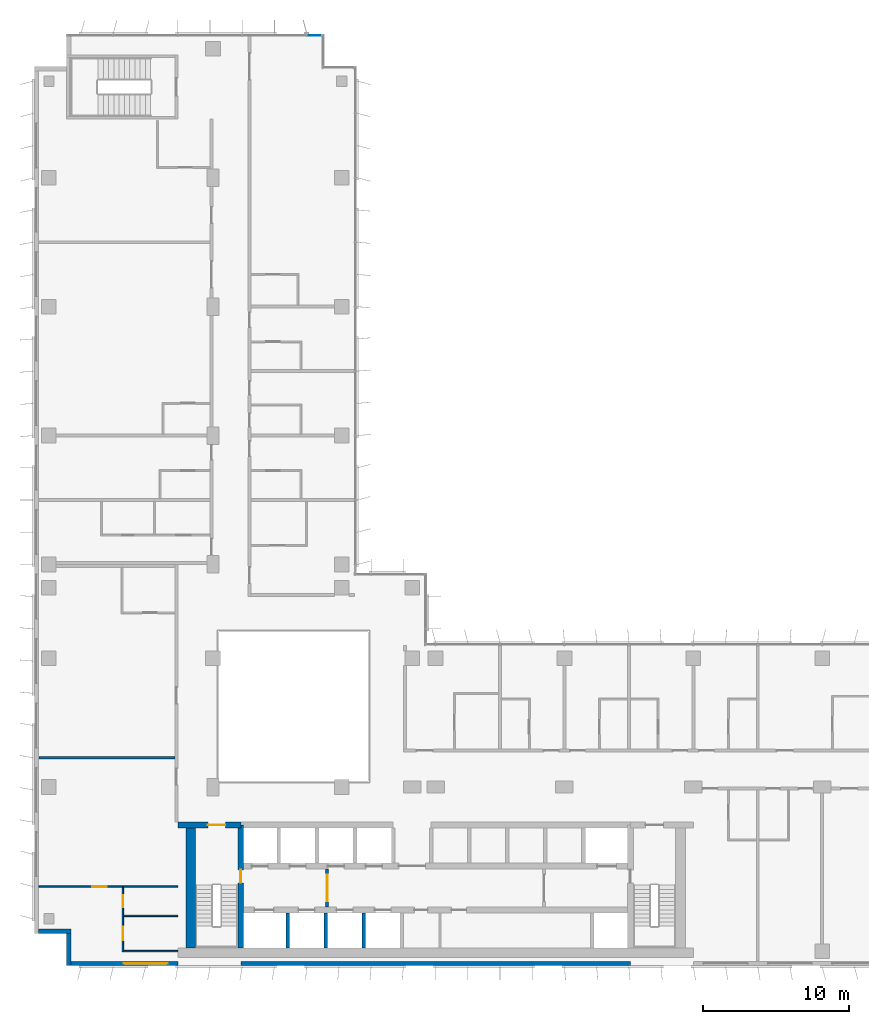
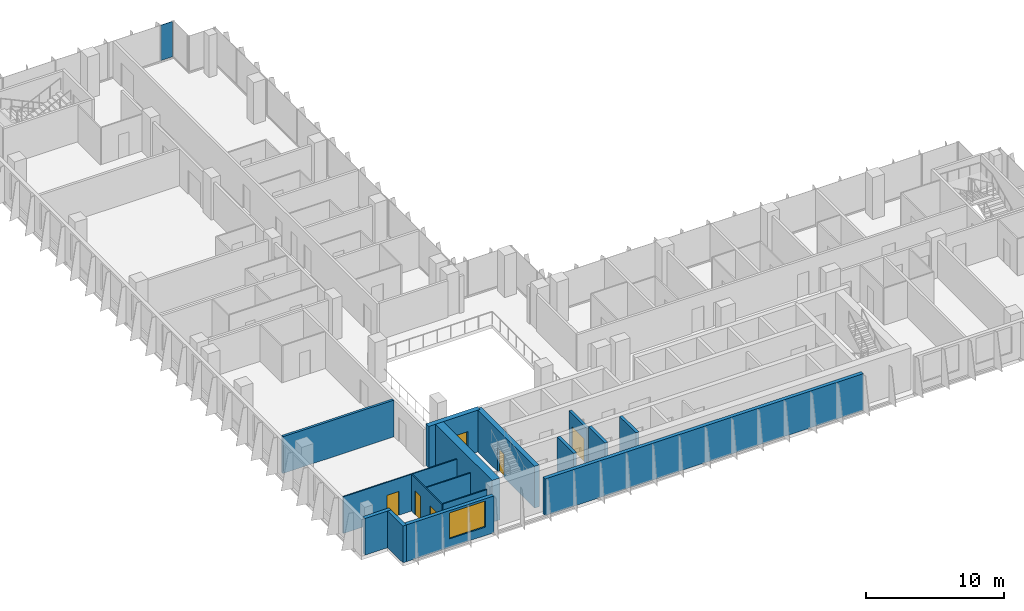
# One storey, part 12 of 21: 16 walls, 6 doors, 1 plate, 1 window, 7 openings, 1 element without a shape of its own.
"""IFC4 building model written with IfcOpenShell, lengths in metres."""

from ifc_helpers import new_model, si_unit, direction, frame, frame_2d, origin, origin_2d, place, context, subcontext, project, spatial, rectangle, extrude, source, transform, mapped, material, layer, layer_set, type_object, element, fill, aggregate, save


model = new_model("IFC4")

# Units and contexts
model_context = context("Model", 3, precision=1e-05, world=origin(), true_north=direction((0.0, 1.0)))
body_context = subcontext(model_context, "Body", "Model", "MODEL_VIEW")
ifc_project = project(units=[si_unit("LENGTHUNIT", "METRE"), si_unit("AREAUNIT", "SQUARE_METRE"), si_unit("VOLUMEUNIT", "CUBIC_METRE"), si_unit("PLANEANGLEUNIT", "RADIAN"), si_unit("MASSUNIT", "GRAM", prefix="KILO")], contexts=[model_context])

# Site, building, storey
site_placement = place(None, origin())
site = spatial("IfcSite", under=ifc_project, at=site_placement, CompositionType="ELEMENT")
building_placement = place(site_placement, origin())
building = spatial("IfcBuilding", under=site, at=building_placement, Name="Kemantara Hotel Tower", CompositionType="ELEMENT")
storey_placement = place(building_placement, frame((0.0, 0.0, 198.800048828125)))
storey = spatial("IfcBuildingStorey", under=building, at=storey_placement, Name="L49", CompositionType="ELEMENT", Elevation=198.800048828125)

# Curtain wall, plate
ifc_material_1 = material(Name="Low-E tinted double insulated glass 36 mm", Category="glass")
curtain_wall_type = type_object("IfcCurtainWallType", Name="TOWER CURTAIN WALL, FRONT FACES", PredefinedType="USERDEFINED", material=ifc_material_1)
curtain_wall_placement = place(storey_placement, origin())
curtain_wall = element("IfcCurtainWall", 1, at=curtain_wall_placement, inside=storey, type_object=curtain_wall_type, Name="CW4 L49 T3-R02-1", ObjectType="TOWER CURTAIN WALL, FRONT FACES", PredefinedType="USERDEFINED")
ifc_layer_1 = layer(ifc_material_1, 0.035888671875)
ifc_layer_set_1 = layer_set([ifc_layer_1], Name="Low-E tinted double insulated glass 36 mm")
plate_type = type_object("IfcPlateType", Name="TOWER CURTAIN WALL, FRONT FACES PANEL", PredefinedType="CURTAIN_PANEL", material=ifc_layer_set_1)
shared_shape = source(origin(), body_context, "Body", "SweptSolid", [
    extrude(rectangle(XDim=0.9599609375, YDim=0.035888671875, at=origin_2d()), origin(), (0.0, 0.0, 1.0), 3.1298828125),
])
plate_placement = place(storey_placement, frame((19.110107421875, 63.52490234375, 0.1201171875), z_axis=(0.0, 0.0, 1.0), x_axis=(-1.0, 0.0, 0.0)))
plate = element("IfcPlate", 2, at=plate_placement, type_object=plate_type, Name="CW4 glass panel T3-R02-1.1", PredefinedType="CURTAIN_PANEL", context=body_context, shape_type="MappedRepresentation", body=[
    mapped(shared_shape, transform((0.0, 0.0, 0.0))),
])
aggregate(curtain_wall, [plate])

# Walls
ifc_material_2 = material(Name="Bronze anodised aluminium cladding on insulated steel stud wall", Category="steel")
ifc_layer_2 = layer(ifc_material_2, 0.300048828125)
ifc_layer_set_2 = layer_set([ifc_layer_2], Name="Bronze anodised aluminium cladding on insulated steel stud wall")
wall_type_1 = type_object("IfcWallType", Name="BRONZE METAL-CLAD EXTERNAL WALL 300", PredefinedType="STANDARD", material=ifc_layer_set_2)
for number, where, z_axis, x_axis, name in (
    (3, (0.300048828125, 2.35009765625, 0.0), (0.0, 0.0, 1.0), (1.0, 0.0, 0.0), "EXTERNAL WALL L49 T3-R06"),
    (4, (2.35009765625, 2.199951171875, 0.0), (0.0, 0.0, 1.0), (0.0, -1.0, 0.0), "EXTERNAL WALL L49 T3-R07"),
):
    element("IfcWall", number, at=place(storey_placement, frame(where, z_axis=z_axis, x_axis=x_axis)), inside=storey, type_object=wall_type_1, Name=name, PredefinedType="STANDARD", context=body_context, shape_type="SweptSolid", body=[
        extrude(rectangle(XDim=2.199951171875, YDim=0.300048828125, at=frame_2d((1.10009765625, 0.0))), origin(), (0.0, 0.0, 1.0), 3.25),
    ])

# Wall, opening, window
wall_1_placement = place(storey_placement, frame((2.5, 0.14990234375, 0.0), z_axis=(0.0, 0.0, 1.0), x_axis=(1.0, 0.0, 0.0)))
wall_1 = element("IfcWall", 5, at=wall_1_placement, inside=storey, type_object=wall_type_1, Name="EXTERNAL WALL L49 T3-R08", PredefinedType="STANDARD", context=body_context, shape_type="SweptSolid", body=[
    extrude(rectangle(XDim=7.300048828125, YDim=0.300048828125, at=frame_2d((3.64990234375, 0.0))), origin(), (0.0, 0.0, 1.0), 3.25),
])
opening_1_placement = place(wall_1_placement, frame((3.60009765625, 0.0, 0.75)))
opening_1 = element("IfcOpeningElement", 6, at=opening_1_placement, cuts=wall_1, Name="Opening W1", PredefinedType="OPENING", context=body_context, shape_type="SweptSolid", body=[
    extrude(rectangle(XDim=3.0, YDim=2.300048828125, at=frame_2d((1.5, 1.14990234375))), frame((0.0, 0.159912109375, 0.0), z_axis=(0.0, -1.0, 0.0), x_axis=(1.0, 0.0, 0.0)), (0.0, 0.0, 1.0), 0.320068359375),
])
ifc_material_3 = material(Name="Low-E tinted double insulated glass in bronze anodised aluminium frame", Category="aluminium")
window_type = type_object("IfcWindowType", Name="CHICAGO WINDOW, TRIPLE PANEL 3000x2300", PartitioningType="TRIPLE_PANEL_VERTICAL", PredefinedType="WINDOW", material=ifc_material_3)
window_placement = place(opening_1_placement, origin())
window = element("IfcWindow", 7, at=window_placement, inside=storey, type_object=window_type, Name="CHICAGO WINDOW L49 T3-R08-54", OverallHeight=2.300048828125, OverallWidth=3.0, PartitioningType="SINGLE_PANEL", PredefinedType="WINDOW", context=body_context, shape_type="SweptSolid", body=[
    extrude(rectangle(XDim=3.0, YDim=2.300048828125, at=frame_2d((1.5, 1.14990234375))), frame((0.0, 0.030029296875, 0.0), z_axis=(0.0, -1.0, 0.0), x_axis=(1.0, 0.0, 0.0)), (0.0, 0.0, 1.0), 0.06005859375),
])
fill(opening_1, window)

# Walls
wall_2_placement = place(storey_placement, frame((14.10009765625, 0.14990234375, 0.0), z_axis=(0.0, 0.0, 1.0), x_axis=(1.0, 0.0, 0.0)))
element("IfcWall", 8, at=wall_2_placement, inside=storey, type_object=wall_type_1, Name="EXTERNAL WALL L49 T3-R08-2", PredefinedType="STANDARD", context=body_context, shape_type="SweptSolid", body=[
    extrude(rectangle(XDim=26.599853515625, YDim=0.300048828125, at=frame_2d((13.2998046875, 0.0))), origin(), (0.0, 0.0, 1.0), 3.25),
])
ifc_material_4 = material(Name="Concrete fc 60 MPa", Category="concrete")
ifc_layer_3 = layer(ifc_material_4, 0.25)
ifc_layer_set_3 = layer_set([ifc_layer_3], Name="Concrete fc 60 MPa")
wall_type_2 = type_object("IfcWallType", Name="CORE WALL 250 FC60", PredefinedType="SHEAR", material=ifc_layer_set_3)
for number, where, z_axis, x_axis, name in (
    (9, (17.300048828125, 1.199951171875, 0.0), (0.0, 0.0, 1.0), (0.0, 1.0, 0.0), "CORE WALL CW-DS17.3"),
    (10, (19.89990234375, 1.199951171875, 0.0), (0.0, 0.0, 1.0), (0.0, 1.0, 0.0), "CORE WALL CW-DS19.9"),
    (11, (22.5, 1.199951171875, 0.0), (0.0, 0.0, 1.0), (0.0, 1.0, 0.0), "CORE WALL CW-DS22.5"),
):
    element("IfcWall", number, at=place(storey_placement, frame(where, z_axis=z_axis, x_axis=x_axis)), inside=storey, type_object=wall_type_2, Name=name, PredefinedType="SHEAR", context=body_context, shape_type="SweptSolid", body=[
        extrude(rectangle(XDim=2.400146484375, YDim=0.25, at=frame_2d((1.2001953125, 0.0))), origin(), (0.0, 0.0, 1.0), 3.699951171875),
    ])

# Wall, opening, door
ifc_layer_4 = layer(ifc_material_4, 0.39990234375)
ifc_layer_set_4 = layer_set([ifc_layer_4], Name="Concrete fc 60 MPa")
wall_type_3 = type_object("IfcWallType", Name="CORE WALL 400 FC60", PredefinedType="SHEAR", material=ifc_layer_set_4)
wall_3_placement = place(storey_placement, frame((9.800048828125, 9.60009765625, 0.0), z_axis=(0.0, 0.0, 1.0), x_axis=(1.0, 0.0, 0.0)))
wall_3 = element("IfcWall", 12, at=wall_3_placement, inside=storey, type_object=wall_type_3, Name="CORE WALL CW-N1", PredefinedType="SHEAR", context=body_context, shape_type="SweptSolid", body=[
    extrude(rectangle(XDim=4.300048828125, YDim=0.39990234375, at=frame_2d((2.14990234375, 0.0))), origin(), (0.0, 0.0, 1.0), 3.699951171875),
])
opening_2_placement = place(wall_3_placement, frame((2.050048828125, 0.0, 0.0)))
opening_2 = element("IfcOpeningElement", 13, at=opening_2_placement, cuts=wall_3, Name="Opening C30-ST1-C", PredefinedType="OPENING", context=body_context, shape_type="SweptSolid", body=[
    extrude(rectangle(XDim=1.199951171875, YDim=2.10009765625, at=frame_2d((0.60009765625, 1.050048828125))), frame((0.0, 0.2099609375, 0.0), z_axis=(0.0, -1.0, 0.0), x_axis=(1.0, 0.0, 0.0)), (0.0, 0.0, 1.0), 0.419921875),
])
ifc_material_5 = material(Name="Steel fire door", Category="steel")
door_type_1 = type_object("IfcDoorType", Name="Fire door FD90 1200 x 2100", OperationType="NOTDEFINED", PredefinedType="DOOR", material=ifc_material_5)
door_1_placement = place(opening_2_placement, frame((1.199951171875, 0.0, 0.0), z_axis=(0.0, 0.0, 1.0), x_axis=(-1.0, 0.0, 0.0)))
door_1 = element("IfcDoor", 14, at=door_1_placement, inside=storey, type_object=door_type_1, Name="Stair ST1 door to corridor", OperationType="SINGLE_SWING_LEFT", OverallHeight=2.10009765625, OverallWidth=1.199951171875, PredefinedType="DOOR", context=body_context, shape_type="SweptSolid", body=[
    extrude(rectangle(XDim=1.199951171875, YDim=2.10009765625, at=frame_2d((0.60009765625, 1.050048828125))), frame((0.0, 0.02490234375, 0.0), z_axis=(0.0, -1.0, 0.0), x_axis=(1.0, 0.0, 0.0)), (0.0, 0.0, 1.0), 0.050048828125),
])
fill(opening_2, door_1)

wall_4_placement = place(storey_placement, frame((14.10009765625, 1.199951171875, 0.0), z_axis=(0.0, 0.0, 1.0), x_axis=(0.0, 1.0, 0.0)))
wall_4 = element("IfcWall", 15, at=wall_4_placement, inside=storey, type_object=wall_type_3, Name="CORE WALL CW-ST1E", PredefinedType="SHEAR", context=body_context, shape_type="SweptSolid", body=[
    extrude(rectangle(XDim=8.400146484375, YDim=0.39990234375, at=frame_2d((4.2001953125, 0.0))), origin(), (0.0, 0.0, 1.0), 3.699951171875),
])
opening_3_placement = place(wall_4_placement, frame((4.449951171875, 0.0, 0.0)))
opening_3 = element("IfcOpeningElement", 16, at=opening_3_placement, cuts=wall_4, Name="Opening C30-ST1-F", PredefinedType="OPENING", context=body_context, shape_type="SweptSolid", body=[
    extrude(rectangle(XDim=0.89990234375, YDim=2.10009765625, at=frame_2d((0.449951171875, 1.050048828125))), frame((0.0, 0.2099609375, 0.0), z_axis=(0.0, -1.0, 0.0), x_axis=(1.0, 0.0, 0.0)), (0.0, 0.0, 1.0), 0.419921875),
])
door_type_2 = type_object("IfcDoorType", Name="Fire door FD90 900 x 2100", OperationType="NOTDEFINED", PredefinedType="DOOR", material=ifc_material_5)
door_2_placement = place(opening_3_placement, origin())
door_2 = element("IfcDoor", 17, at=door_2_placement, inside=storey, type_object=door_type_2, Name="Stair ST1 door to firefighting lobby", OperationType="SINGLE_SWING_RIGHT", OverallHeight=2.10009765625, OverallWidth=0.89990234375, PredefinedType="DOOR", context=body_context, shape_type="SweptSolid", body=[
    extrude(rectangle(XDim=0.89990234375, YDim=2.10009765625, at=frame_2d((0.449951171875, 1.050048828125))), frame((0.0, 0.02490234375, 0.0), z_axis=(0.0, -1.0, 0.0), x_axis=(1.0, 0.0, 0.0)), (0.0, 0.0, 1.0), 0.050048828125),
])
fill(opening_3, door_2)

# Walls
ifc_layer_5 = layer(ifc_material_4, 0.64990234375)
ifc_layer_set_5 = layer_set([ifc_layer_5], Name="Concrete fc 60 MPa")
wall_type_4 = type_object("IfcWallType", Name="CORE WALL 650 FC60", PredefinedType="SHEAR", material=ifc_layer_set_5)
wall_5_placement = place(storey_placement, frame((10.675048828125, 1.199951171875, 0.0), z_axis=(0.0, 0.0, 1.0), x_axis=(0.0, 1.0, 0.0)))
element("IfcWall", 18, at=wall_5_placement, inside=storey, type_object=wall_type_4, Name="CORE WALL CW-W", PredefinedType="SHEAR", context=body_context, shape_type="SweptSolid", body=[
    extrude(rectangle(XDim=8.60009765625, YDim=0.64990234375, at=frame_2d((4.300048828125, 0.0))), origin(), (0.0, 0.0, 1.0), 3.699951171875),
])
ifc_material_6 = material(Name="Gypsum board partition, steel studs and mineral wool, 200 mm", Category="steel")
ifc_layer_6 = layer(ifc_material_6, 0.199951171875)
ifc_layer_set_6 = layer_set([ifc_layer_6], Name="Gypsum board partition, steel studs and mineral wool, 200 mm")
wall_type_5 = type_object("IfcWallType", Name="GUEST ROOM PARTY WALL 200", PredefinedType="PARTITIONING", material=ifc_layer_set_6)
wall_6_placement = place(storey_placement, frame((0.31005859375, 14.199951171875, 0.0), z_axis=(0.0, 0.0, 1.0), x_axis=(1.0, 0.0, 0.0)))
element("IfcWall", 19, at=wall_6_placement, inside=storey, type_object=wall_type_5, Name="GUEST ROOM PARTY WALL 200 015", PredefinedType="PARTITIONING", context=body_context, shape_type="SweptSolid", body=[
    extrude(rectangle(XDim=9.2900390625, YDim=0.199951171875, at=frame_2d((4.64501953125, 0.0))), origin(), (0.0, 0.0, 1.0), 3.25),
])

# Wall, opening, door
ifc_material_7 = material(Name="Gypsum board shaft wall")
ifc_layer_7 = layer(ifc_material_7, 0.199951171875)
ifc_layer_set_7 = layer_set([ifc_layer_7], Name="Gypsum board shaft wall")
wall_type_6 = type_object("IfcWallType", Name="Gypsum board shaft wall 200 mm", PredefinedType="PARTITIONING", material=ifc_layer_set_7)
wall_7_placement = place(storey_placement, frame((20.0, 4.0, 0.0), z_axis=(0.0, 0.0, 1.0), x_axis=(0.0, 1.0, 0.0)))
wall_7 = element("IfcWall", 20, at=wall_7_placement, inside=storey, type_object=wall_type_6, Name="Firefighting lobby partition west", PredefinedType="PARTITIONING", context=body_context, shape_type="SweptSolid", body=[
    extrude(rectangle(XDim=2.60009765625, YDim=0.199951171875, at=frame_2d((1.300048828125, 0.0))), origin(), (0.0, 0.0, 1.0), 3.25),
])
opening_4_placement = place(wall_7_placement, frame((0.39990234375, 0.0, 0.0)))
opening_4 = element("IfcOpeningElement", 21, at=opening_4_placement, cuts=wall_7, Name="Opening C30-FFW", PredefinedType="OPENING", context=body_context, shape_type="SweptSolid", body=[
    extrude(rectangle(XDim=1.800048828125, YDim=2.10009765625, at=frame_2d((0.89990234375, 1.050048828125))), frame((0.0, 0.10986328125, 0.0), z_axis=(0.0, -1.0, 0.0), x_axis=(1.0, 0.0, 0.0)), (0.0, 0.0, 1.0), 0.219970703125),
])
door_type_3 = type_object("IfcDoorType", Name="Fire door pair FD60 1800 x 2100", OperationType="DOUBLE_DOOR_SINGLE_SWING", PredefinedType="DOOR", material=ifc_material_5)
door_3_placement = place(opening_4_placement, origin())
door_3 = element("IfcDoor", 22, at=door_3_placement, inside=storey, type_object=door_type_3, Name="Firefighting lobby door west", OperationType="DOUBLE_DOOR_SINGLE_SWING", OverallHeight=2.10009765625, OverallWidth=1.800048828125, PredefinedType="DOOR", context=body_context, shape_type="SweptSolid", body=[
    extrude(rectangle(XDim=1.800048828125, YDim=2.10009765625, at=frame_2d((0.89990234375, 1.050048828125))), frame((0.0, 0.02490234375, 0.0), z_axis=(0.0, -1.0, 0.0), x_axis=(1.0, 0.0, 0.0)), (0.0, 0.0, 1.0), 0.050048828125),
])
fill(opening_4, door_3)

# Wall, openings, doors
ifc_material_8 = material(Name="Gypsum board partition on steel studs, 100 mm", Category="steel")
ifc_layer_8 = layer(ifc_material_8, 0.10009765625)
ifc_layer_set_8 = layer_set([ifc_layer_8], Name="Gypsum board partition on steel studs, 100 mm")
wall_type_7 = type_object("IfcWallType", Name="ROOM PARTITION 100", PredefinedType="PARTITIONING", material=ifc_layer_set_8)
wall_8_placement = place(storey_placement, frame((6.050048828125, 5.35009765625, 0.0), z_axis=(0.0, 0.0, 1.0), x_axis=(0.0, -1.0, 0.0)))
wall_8 = element("IfcWall", 23, at=wall_8_placement, inside=storey, type_object=wall_type_7, Name="ROOM PARTITION 100 051", PredefinedType="PARTITIONING", context=body_context, shape_type="SweptSolid", body=[
    extrude(rectangle(XDim=4.400146484375, YDim=0.10009765625, at=frame_2d((2.2001953125, 0.0))), origin(), (0.0, 0.0, 1.0), 3.25),
])
opening_5_placement = place(wall_8_placement, frame((2.699951171875, 0.0, 0.0)))
opening_5 = element("IfcOpeningElement", 24, at=opening_5_placement, cuts=wall_8, Name="Opening F23-021", PredefinedType="OPENING", context=body_context, shape_type="SweptSolid", body=[
    extrude(rectangle(XDim=0.89990234375, YDim=2.10009765625, at=frame_2d((0.449951171875, 1.050048828125))), frame((0.0, 0.06005859375, 0.0), z_axis=(0.0, -1.0, 0.0), x_axis=(1.0, 0.0, 0.0)), (0.0, 0.0, 1.0), 0.1201171875),
])
opening_6_placement = place(wall_8_placement, frame((0.550048828125, 0.0, 0.0)))
opening_6 = element("IfcOpeningElement", 25, at=opening_6_placement, cuts=wall_8, Name="Opening F23-022", PredefinedType="OPENING", context=body_context, shape_type="SweptSolid", body=[
    extrude(rectangle(XDim=0.800048828125, YDim=2.10009765625, at=frame_2d((0.39990234375, 1.050048828125))), frame((0.0, 0.06005859375, 0.0), z_axis=(0.0, -1.0, 0.0), x_axis=(1.0, 0.0, 0.0)), (0.0, 0.0, 1.0), 0.1201171875),
])
ifc_material_9 = material(Name="Hardwood veneer door leaf with steel frame", Category="steel")
door_type_4 = type_object("IfcDoorType", Name="BATHROOM DOOR 900 X 2100", OperationType="NOTDEFINED", PredefinedType="DOOR", material=ifc_material_9)
door_4_placement = place(opening_5_placement, origin())
door_4 = element("IfcDoor", 26, at=door_4_placement, inside=storey, type_object=door_type_4, Name="BATHROOM DOOR F23-021", OperationType="SINGLE_SWING_LEFT", OverallHeight=2.10009765625, OverallWidth=0.89990234375, PredefinedType="DOOR", context=body_context, shape_type="SweptSolid", body=[
    extrude(rectangle(XDim=0.89990234375, YDim=2.10009765625, at=frame_2d((0.449951171875, 1.050048828125))), frame((0.0, 0.02490234375, 0.0), z_axis=(0.0, -1.0, 0.0), x_axis=(1.0, 0.0, 0.0)), (0.0, 0.0, 1.0), 0.050048828125),
])
fill(opening_5, door_4)
door_type_5 = type_object("IfcDoorType", Name="WARDROBE DOOR 800 X 2100", OperationType="NOTDEFINED", PredefinedType="DOOR", material=ifc_material_9)
door_5_placement = place(opening_6_placement, origin())
door_5 = element("IfcDoor", 27, at=door_5_placement, inside=storey, type_object=door_type_5, Name="WARDROBE DOOR F23-022", OperationType="SINGLE_SWING_LEFT", OverallHeight=2.10009765625, OverallWidth=0.800048828125, PredefinedType="DOOR", context=body_context, shape_type="SweptSolid", body=[
    extrude(rectangle(XDim=0.800048828125, YDim=2.10009765625, at=frame_2d((0.39990234375, 1.050048828125))), frame((0.0, 0.02490234375, 0.0), z_axis=(0.0, -1.0, 0.0), x_axis=(1.0, 0.0, 0.0)), (0.0, 0.0, 1.0), 0.050048828125),
])
fill(opening_6, door_5)

# Wall, opening, door
wall_9_placement = place(storey_placement, frame((9.7998046875, 5.39990234375, 0.0), z_axis=(0.0, 0.0, 1.0), x_axis=(-1.0, 0.0, 0.0)))
wall_9 = element("IfcWall", 28, at=wall_9_placement, inside=storey, type_object=wall_type_7, Name="ROOM PARTITION 100 052", PredefinedType="PARTITIONING", context=body_context, shape_type="SweptSolid", body=[
    extrude(rectangle(XDim=9.48974609375, YDim=0.10009765625, at=frame_2d((4.744873046875, 0.0))), origin(), (0.0, 0.0, 1.0), 3.25),
])
opening_7_placement = place(wall_9_placement, frame((4.849853515625, 0.0, 0.0)))
opening_7 = element("IfcOpeningElement", 29, at=opening_7_placement, cuts=wall_9, Name="Opening F23-020", PredefinedType="OPENING", context=body_context, shape_type="SweptSolid", body=[
    extrude(rectangle(XDim=1.0, YDim=2.10009765625, at=frame_2d((0.5, 1.050048828125))), frame((0.0, 0.06005859375, 0.0), z_axis=(0.0, -1.0, 0.0), x_axis=(1.0, 0.0, 0.0)), (0.0, 0.0, 1.0), 0.1201171875),
])
door_type_6 = type_object("IfcDoorType", Name="INTERNAL DOOR 1000 X 2100", OperationType="NOTDEFINED", PredefinedType="DOOR", material=ifc_material_9)
door_6_placement = place(opening_7_placement, origin())
door_6 = element("IfcDoor", 30, at=door_6_placement, inside=storey, type_object=door_type_6, Name="INTERNAL DOOR F23-020", OperationType="SINGLE_SWING_LEFT", OverallHeight=2.10009765625, OverallWidth=1.0, PredefinedType="DOOR", context=body_context, shape_type="SweptSolid", body=[
    extrude(rectangle(XDim=1.0, YDim=2.10009765625, at=frame_2d((0.5, 1.050048828125))), frame((0.0, 0.02490234375, 0.0), z_axis=(0.0, -1.0, 0.0), x_axis=(1.0, 0.0, 0.0)), (0.0, 0.0, 1.0), 0.050048828125),
])
fill(opening_7, door_6)

# Walls
for number, where, z_axis, x_axis, name in (
    (31, (6.10009765625, 1.0, 0.0), (0.0, 0.0, 1.0), (1.0, 0.0, 0.0), "ROOM PARTITION 100 053"),
    (32, (6.10009765625, 3.39990234375, 0.0), (0.0, 0.0, 1.0), (1.0, 0.0, 0.0), "ROOM PARTITION 100 054"),
):
    element("IfcWall", number, at=place(storey_placement, frame(where, z_axis=z_axis, x_axis=x_axis)), inside=storey, type_object=wall_type_7, Name=name, PredefinedType="PARTITIONING", context=body_context, shape_type="SweptSolid", body=[
        extrude(rectangle(XDim=3.69970703125, YDim=0.10009765625, at=frame_2d((1.849853515625, 0.0))), origin(), (0.0, 0.0, 1.0), 3.25),
    ])

save(model, "model.ifc")
